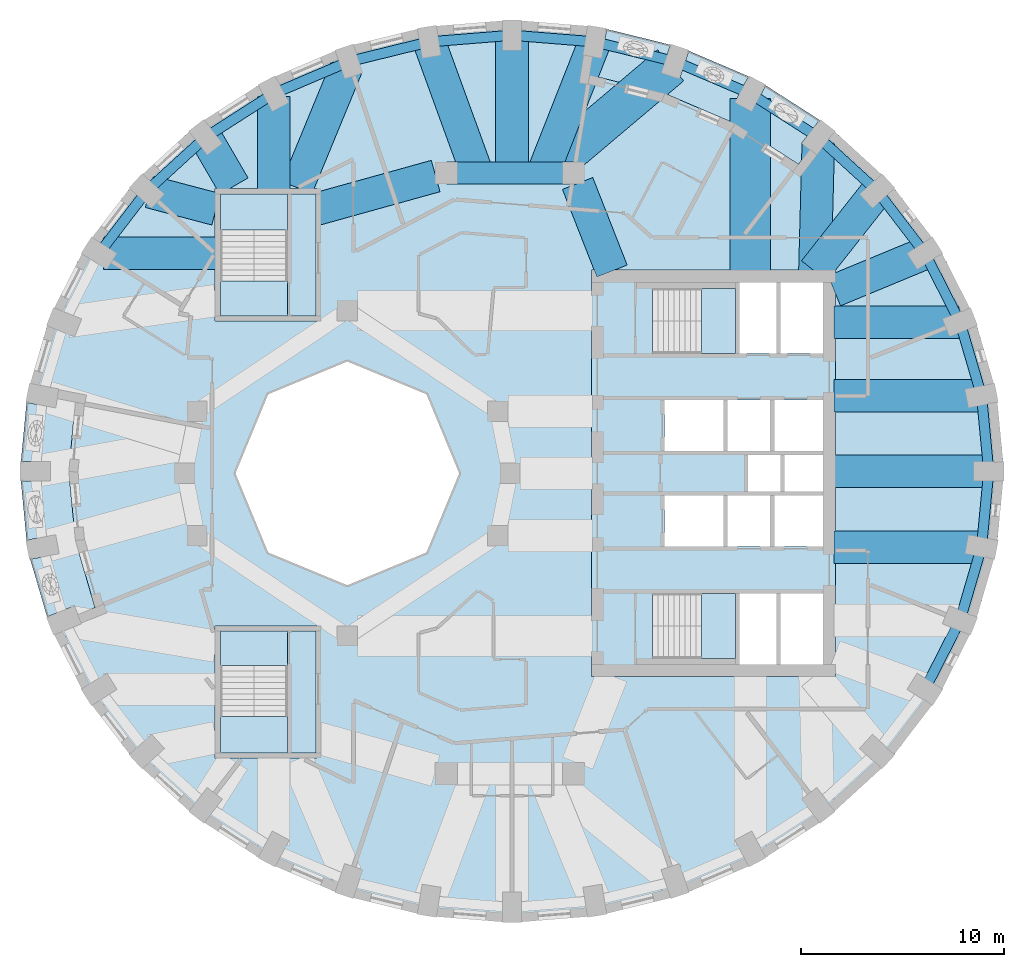
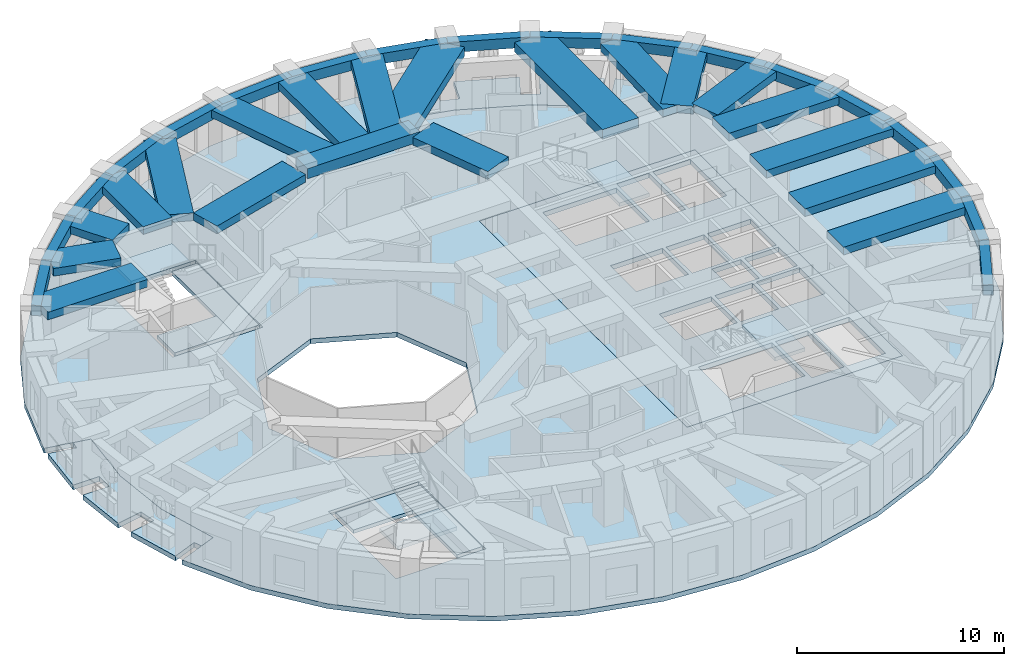
# One storey, part 2 of 12: 38 beams, 12 slabs, 4 elements without a shape of their own.
"""IFC4 building model written with IfcOpenShell, lengths in metres."""

from ifc_helpers import new_model, si_unit, direction, frame, origin, origin_2d, place, context, subcontext, project, spatial, polyline, rectangle, outline, extrude, material, layer, layer_set, material_profile, profile_set, type_object, element, aggregate, save


model = new_model("IFC4")

# Units and contexts
model_context = context("Model", 3, precision=1e-05, world=origin(), true_north=direction((0.0, 1.0)))
body_context = subcontext(model_context, "Body", "Model", "MODEL_VIEW")
ifc_project = project(units=[si_unit("LENGTHUNIT", "METRE"), si_unit("AREAUNIT", "SQUARE_METRE"), si_unit("VOLUMEUNIT", "CUBIC_METRE"), si_unit("PLANEANGLEUNIT", "RADIAN"), si_unit("MASSUNIT", "GRAM", prefix="KILO")], contexts=[model_context])

# Site, building, storey
site_placement = place(None, origin())
site = spatial("IfcSite", under=ifc_project, at=site_placement, CompositionType="ELEMENT")
building_placement = place(site_placement, origin())
building = spatial("IfcBuilding", under=site, at=building_placement, Name="Taillehof Tower", CompositionType="ELEMENT")
storey_placement = place(building_placement, frame((0.0, 0.0, 148.39990234375)))
storey = spatial("IfcBuildingStorey", under=building, at=storey_placement, Name="L41", CompositionType="ELEMENT", Elevation=148.39990234375)

# Beams
ifc_material_1 = material(Name="Concrete C50/60", Category="concrete")
ifc_material_profile_1 = material_profile(ifc_material_1, rectangle(XDim=1.10009765625, YDim=0.60009765625, at=origin_2d()), Name="RC 1100x600")
ifc_profile_set_1 = profile_set([ifc_material_profile_1], Name="Concrete C50/60")
beam_type_1 = type_object("IfcBeamType", Name="Mid-ring beam C50/60 1100x600", PredefinedType="BEAM", material=ifc_profile_set_1)
beam_1_placement = place(storey_placement, frame((3.125732421875, 14.772216796875, 2.72021484375), z_axis=(-1.0, 0.0, 0.0), x_axis=(0.0, -1.0, 0.0)))
element("IfcBeam", 1, at=beam_1_placement, inside=storey, type_object=beam_type_1, Name="Mid-ring beam MB01", PredefinedType="BEAM", context=body_context, shape_type="SweptSolid", body=[
    extrude(rectangle(XDim=1.10009765625, YDim=0.60009765625, at=origin_2d()), origin(), (0.0, 0.0, 1.0), 6.25146484375),
])
ifc_material_2 = material(Name="Concrete C50/60", Category="concrete")
ifc_material_profile_2 = material_profile(ifc_material_2, rectangle(XDim=1.60009765625, YDim=0.449951171875, at=origin_2d()), Name="RC 1600x450")
ifc_profile_set_2 = profile_set([ifc_material_profile_2], Name="Concrete C50/60")
beam_type_2 = type_object("IfcBeamType", Name="Radial band beam C50/60 1600x450", PredefinedType="BEAM", material=ifc_profile_set_2)
beam_2_placement = place(storey_placement, frame((23.550048828125, 0.10009765625, 2.795166015625), z_axis=(-1.0, 0.0, 0.0), x_axis=(0.0, -1.0, 0.0)))
element("IfcBeam", 2, at=beam_2_placement, inside=storey, type_object=beam_type_2, Name="Radial band beam RB01", PredefinedType="BEAM", context=body_context, shape_type="SweptSolid", body=[
    extrude(rectangle(XDim=1.60009765625, YDim=0.449951171875, at=origin_2d()), origin(), (0.0, 0.0, 1.0), 7.60009765625),
])
beam_3_placement = place(storey_placement, frame((23.19384765625, 3.82470703125, 2.795166015625), z_axis=(-1.0, 0.0, 0.0), x_axis=(0.0, -1.0, 0.0)))
element("IfcBeam", 3, at=beam_3_placement, inside=storey, type_object=beam_type_2, Name="Radial band beam RB02", PredefinedType="BEAM", context=body_context, shape_type="SweptSolid", body=[
    extrude(rectangle(XDim=1.60009765625, YDim=0.449951171875, at=origin_2d()), origin(), (0.0, 0.0, 1.0), 7.243896484375),
])
beam_4_placement = place(storey_placement, frame((22.08642578125, 7.436279296875, 2.795166015625), z_axis=(-1.0, 0.0, 0.0), x_axis=(0.0, -1.0, 0.0)))
element("IfcBeam", 4, at=beam_4_placement, inside=storey, type_object=beam_type_2, Name="Radial band beam RB03", PredefinedType="BEAM", context=body_context, shape_type="SweptSolid", body=[
    extrude(rectangle(XDim=1.60009765625, YDim=0.449951171875, at=origin_2d()), origin(), (0.0, 0.0, 1.0), 6.136474609375),
])
beam_5_placement = place(storey_placement, frame((20.408203125, 10.824951171875, 2.795166015625), z_axis=(-0.92395697655, -0.382496412381, 0.0), x_axis=(0.382496412381, -0.92395697655, 0.0)))
element("IfcBeam", 5, at=beam_5_placement, inside=storey, type_object=beam_type_2, Name="Radial band beam RB04", PredefinedType="BEAM", context=body_context, shape_type="SweptSolid", body=[
    extrude(rectangle(XDim=1.60009765625, YDim=0.449951171875, at=origin_2d()), origin(), (0.0, 0.0, 1.0), 4.821044921875),
])
beam_6_placement = place(storey_placement, frame((18.063720703125, 13.8876953125, 2.795166015625), z_axis=(-0.618961692467, -0.785421175713, 0.0), x_axis=(0.785421175713, -0.618961692467, 0.0)))
element("IfcBeam", 6, at=beam_6_placement, inside=storey, type_object=beam_type_2, Name="Radial band beam RB05", PredefinedType="BEAM", context=body_context, shape_type="SweptSolid", body=[
    extrude(rectangle(XDim=1.60009765625, YDim=0.449951171875, at=origin_2d()), origin(), (0.0, 0.0, 1.0), 4.999755859375),
])
beam_7_placement = place(storey_placement, frame((15.166259765625, 16.259765625, 2.795166015625), z_axis=(-0.026533506529, -0.999647924537, 0.0), x_axis=(0.999647924537, -0.026533506529, 0.0)))
element("IfcBeam", 7, at=beam_7_placement, inside=storey, type_object=beam_type_2, Name="Radial band beam RB06", PredefinedType="BEAM", context=body_context, shape_type="SweptSolid", body=[
    extrude(rectangle(XDim=1.60009765625, YDim=0.449951171875, at=origin_2d()), origin(), (0.0, 0.0, 1.0), 6.31201171875),
])
beam_8_placement = place(storey_placement, frame((4.172119140625, 21.22412109375, 2.795166015625), z_axis=(-0.36711444375, -0.930175781877, 0.0), x_axis=(0.930175781877, -0.36711444375, 0.0)))
element("IfcBeam", 8, at=beam_8_placement, inside=storey, type_object=beam_type_2, Name="Radial band beam RB09", PredefinedType="BEAM", context=body_context, shape_type="SweptSolid", body=[
    extrude(rectangle(XDim=1.60009765625, YDim=0.449951171875, at=origin_2d()), origin(), (0.0, 0.0, 1.0), 6.936279296875),
])
beam_9_placement = place(storey_placement, frame((0.10009765625, 21.550048828125, 2.795166015625), z_axis=(0.0, -1.0, 0.0), x_axis=(1.0, 0.0, 0.0)))
element("IfcBeam", 9, at=beam_9_placement, inside=storey, type_object=beam_type_2, Name="Radial band beam RB10", PredefinedType="BEAM", context=body_context, shape_type="SweptSolid", body=[
    extrude(rectangle(XDim=1.60009765625, YDim=0.449951171875, at=origin_2d()), origin(), (0.0, 0.0, 1.0), 6.77783203125),
])
beam_10_placement = place(storey_placement, frame((-3.97216796875, 21.22412109375, 2.795166015625), z_axis=(0.341780181607, -0.939779925015, 0.0), x_axis=(0.939779925015, 0.341780181607, 0.0)))
element("IfcBeam", 10, at=beam_10_placement, inside=storey, type_object=beam_type_2, Name="Radial band beam RB11", PredefinedType="BEAM", context=body_context, shape_type="SweptSolid", body=[
    extrude(rectangle(XDim=1.60009765625, YDim=0.449951171875, at=origin_2d()), origin(), (0.0, 0.0, 1.0), 6.865234375),
])
beam_11_placement = place(storey_placement, frame((-8.04443359375, 19.95556640625, 2.795166015625), z_axis=(-0.381176869418, -0.924502133162, 0.0), x_axis=(0.924502133162, -0.381176869418, 0.0)))
element("IfcBeam", 11, at=beam_11_placement, inside=storey, type_object=beam_type_2, Name="Radial band beam RB12", PredefinedType="BEAM", context=body_context, shape_type="SweptSolid", body=[
    extrude(rectangle(XDim=1.60009765625, YDim=0.449951171875, at=origin_2d()), origin(), (0.0, 0.0, 1.0), 6.382568359375),
])
beam_12_placement = place(storey_placement, frame((-11.625, 18.536376953125, 2.795166015625), z_axis=(0.0, -1.0, 0.0), x_axis=(1.0, 0.0, 0.0)))
element("IfcBeam", 12, at=beam_12_placement, inside=storey, type_object=beam_type_2, Name="Radial band beam RB13", PredefinedType="BEAM", context=body_context, shape_type="SweptSolid", body=[
    extrude(rectangle(XDim=1.60009765625, YDim=0.449951171875, at=origin_2d()), origin(), (0.0, 0.0, 1.0), 4.58642578125),
])
beam_13_placement = place(storey_placement, frame((-14.973388671875, 16.53173828125, 2.795166015625), z_axis=(0.502991419937, -0.864291404255, 0.0), x_axis=(0.864291404255, 0.502991419937, 0.0)))
element("IfcBeam", 13, at=beam_13_placement, inside=storey, type_object=beam_type_2, Name="Radial band beam RB14", PredefinedType="BEAM", context=body_context, shape_type="SweptSolid", body=[
    extrude(rectangle(XDim=1.60009765625, YDim=0.449951171875, at=origin_2d()), origin(), (0.0, 0.0, 1.0), 2.779296875),
])
beam_14_placement = place(storey_placement, frame((-17.72998046875, 13.8525390625, 2.795166015625), z_axis=(0.966882543987, -0.255221758736, 0.0), x_axis=(0.255221758736, 0.966882543987, 0.0)))
element("IfcBeam", 14, at=beam_14_placement, inside=storey, type_object=beam_type_2, Name="Radial band beam RB15", PredefinedType="BEAM", context=body_context, shape_type="SweptSolid", body=[
    extrude(rectangle(XDim=1.60009765625, YDim=0.449951171875, at=origin_2d()), origin(), (0.0, 0.0, 1.0), 3.381591796875),
])
beam_15_placement = place(storey_placement, frame((-19.9990234375, 10.824951171875, 2.795166015625), z_axis=(1.0, 0.0, 0.0), x_axis=(0.0, 1.0, 0.0)))
element("IfcBeam", 15, at=beam_15_placement, inside=storey, type_object=beam_type_2, Name="Radial band beam RB16", PredefinedType="BEAM", context=body_context, shape_type="SweptSolid", body=[
    extrude(rectangle(XDim=1.60009765625, YDim=0.449951171875, at=origin_2d()), origin(), (0.0, 0.0, 1.0), 5.549072265625),
])
beam_16_placement = place(storey_placement, frame((23.19384765625, -3.624755859375, 2.795166015625), z_axis=(-1.0, 0.0, 0.0), x_axis=(0.0, -1.0, 0.0)))
element("IfcBeam", 16, at=beam_16_placement, inside=storey, type_object=beam_type_2, Name="Radial band beam RB36", PredefinedType="BEAM", context=body_context, shape_type="SweptSolid", body=[
    extrude(rectangle(XDim=1.60009765625, YDim=0.449951171875, at=origin_2d()), origin(), (0.0, 0.0, 1.0), 7.243896484375),
])
beam_17_placement = place(storey_placement, frame((3.32666015625, 14.26025390625, 2.795166015625), z_axis=(0.365588707223, -0.930776502255, 0.0), x_axis=(0.930776502255, 0.365588707223, 0.0)))
element("IfcBeam", 17, at=beam_17_placement, inside=storey, type_object=beam_type_2, Name="Inner band beam IB205", PredefinedType="BEAM", context=body_context, shape_type="SweptSolid", body=[
    extrude(rectangle(XDim=1.60009765625, YDim=0.449951171875, at=origin_2d()), origin(), (0.0, 0.0, 1.0), 4.627197265625),
])
beam_18_placement = place(storey_placement, frame((-3.655517578125, 14.624755859375, 2.795166015625), z_axis=(-0.963459369536, -0.267854518821, 0.0), x_axis=(0.267854518821, -0.963459369536, 0.0)))
element("IfcBeam", 18, at=beam_18_placement, inside=storey, type_object=beam_type_2, Name="Inner band beam IB206", PredefinedType="BEAM", context=body_context, shape_type="SweptSolid", body=[
    extrude(rectangle(XDim=1.60009765625, YDim=0.449951171875, at=origin_2d()), origin(), (0.0, 0.0, 1.0), 6.096923828125),
])
ifc_material_3 = material(Name="Concrete C50/60", Category="concrete")
ifc_material_profile_3 = material_profile(ifc_material_3, rectangle(XDim=2.0, YDim=0.550048828125, at=origin_2d()), Name="RC 2000x550")
ifc_profile_set_3 = profile_set([ifc_material_profile_3], Name="Concrete C50/60")
beam_type_3 = type_object("IfcBeamType", Name="Radial band beam C50/60 2000x550", PredefinedType="BEAM", material=ifc_profile_set_3)
beam_19_placement = place(storey_placement, frame((11.824951171875, 18.430908203125, 2.7451171875), z_axis=(0.0, -1.0, 0.0), x_axis=(1.0, 0.0, 0.0)))
element("IfcBeam", 19, at=beam_19_placement, inside=storey, type_object=beam_type_3, Name="Radial band beam RB07", PredefinedType="BEAM", context=body_context, shape_type="SweptSolid", body=[
    extrude(rectangle(XDim=2.0, YDim=0.550048828125, at=origin_2d()), origin(), (0.0, 0.0, 1.0), 8.48095703125),
])
beam_20_placement = place(storey_placement, frame((7.900390625, 20.070556640625, 2.7451171875), z_axis=(-0.764038060196, -0.645171173079, 0.0), x_axis=(0.645171173079, -0.764038060196, 0.0)))
element("IfcBeam", 20, at=beam_20_placement, inside=storey, type_object=beam_type_3, Name="Radial band beam RB08", PredefinedType="BEAM", context=body_context, shape_type="SweptSolid", body=[
    extrude(rectangle(XDim=2.0, YDim=0.550048828125, at=origin_2d()), origin(), (0.0, 0.0, 1.0), 7.880859375),
])
ifc_material_4 = material(Name="Concrete C50/60", Category="concrete")
ifc_material_profile_4 = material_profile(ifc_material_4, rectangle(XDim=0.5, YDim=0.60009765625, at=origin_2d()), Name="RC 500x600")
ifc_profile_set_4 = profile_set([ifc_material_profile_4], Name="Concrete C50/60")
beam_type_4 = type_object("IfcBeamType", Name="Spandrel beam C50/60 500x600", PredefinedType="SPANDREL", material=ifc_profile_set_4)
beam_21_placement = place(storey_placement, frame((23.550048828125, 0.10009765625, 2.72021484375), z_axis=(-0.095200147056, 0.995458151808, 0.0), x_axis=(-0.995458151808, -0.095200147056, 0.0)))
element("IfcBeam", 21, at=beam_21_placement, inside=storey, type_object=beam_type_4, Name="Spandrel beam SB01", PredefinedType="SPANDREL", context=body_context, shape_type="SweptSolid", body=[
    extrude(rectangle(XDim=0.5, YDim=0.60009765625, at=origin_2d()), origin(), (0.0, 0.0, 1.0), 3.74169921875),
])
beam_22_placement = place(storey_placement, frame((23.19384765625, 3.82470703125, 2.72021484375), z_axis=(-0.281158162606, 0.959661444261, 0.0), x_axis=(-0.959661444261, -0.281158162606, 0.0)))
element("IfcBeam", 22, at=beam_22_placement, inside=storey, type_object=beam_type_4, Name="Spandrel beam SB02", PredefinedType="SPANDREL", context=body_context, shape_type="SweptSolid", body=[
    extrude(rectangle(XDim=0.5, YDim=0.60009765625, at=origin_2d()), origin(), (0.0, 0.0, 1.0), 3.763427734375),
])
beam_23_placement = place(storey_placement, frame((22.1357421875, 7.436279296875, 2.72021484375), z_axis=(-0.454183451696, 0.890908183937, 0.0), x_axis=(-0.890908183937, -0.454183451696, 0.0)))
element("IfcBeam", 23, at=beam_23_placement, inside=storey, type_object=beam_type_4, Name="Spandrel beam SB03", PredefinedType="SPANDREL", context=body_context, shape_type="SweptSolid", body=[
    extrude(rectangle(XDim=0.5, YDim=0.60009765625, at=origin_2d()), origin(), (0.0, 0.0, 1.0), 3.8037109375),
])
beam_24_placement = place(storey_placement, frame((20.408203125, 10.824951171875, 2.72021484375), z_axis=(-0.60784004271, 0.794059495553, 0.0), x_axis=(-0.794059495553, -0.60784004271, 0.0)))
element("IfcBeam", 24, at=beam_24_placement, inside=storey, type_object=beam_type_4, Name="Spandrel beam SB04", PredefinedType="SPANDREL", context=body_context, shape_type="SweptSolid", body=[
    extrude(rectangle(XDim=0.5, YDim=0.60009765625, at=origin_2d()), origin(), (0.0, 0.0, 1.0), 3.857177734375),
])
beam_25_placement = place(storey_placement, frame((18.063720703125, 13.8876953125, 2.72021484375), z_axis=(-0.737849657471, 0.674965097594, 0.0), x_axis=(-0.674965097594, -0.737849657471, 0.0)))
element("IfcBeam", 25, at=beam_25_placement, inside=storey, type_object=beam_type_4, Name="Spandrel beam SB05", PredefinedType="SPANDREL", context=body_context, shape_type="SweptSolid", body=[
    extrude(rectangle(XDim=0.5, YDim=0.60009765625, at=origin_2d()), origin(), (0.0, 0.0, 1.0), 3.917236328125),
])
beam_26_placement = place(storey_placement, frame((15.17333984375, 16.53173828125, 2.72021484375), z_axis=(-0.842092940799, 0.53933243835, 0.0), x_axis=(-0.53933243835, -0.842092940799, 0.0)))
element("IfcBeam", 26, at=beam_26_placement, inside=storey, type_object=beam_type_4, Name="Spandrel beam SB06", PredefinedType="SPANDREL", context=body_context, shape_type="SweptSolid", body=[
    extrude(rectangle(XDim=0.5, YDim=0.60009765625, at=origin_2d()), origin(), (0.0, 0.0, 1.0), 3.976318359375),
])
beam_27_placement = place(storey_placement, frame((11.824951171875, 18.67626953125, 2.72021484375), z_axis=(-0.919827173659, 0.392323808351, 0.0), x_axis=(-0.392323808351, -0.919827173659, 0.0)))
element("IfcBeam", 27, at=beam_27_placement, inside=storey, type_object=beam_type_4, Name="Spandrel beam SB07", PredefinedType="SPANDREL", context=body_context, shape_type="SweptSolid", body=[
    extrude(rectangle(XDim=0.5, YDim=0.60009765625, at=origin_2d()), origin(), (0.0, 0.0, 1.0), 4.027587890625),
])
beam_28_placement = place(storey_placement, frame((8.120361328125, 20.25634765625, 2.72021484375), z_axis=(-0.971248584585, 0.238067610023, 0.0), x_axis=(-0.238067610023, -0.971248584585, 0.0)))
element("IfcBeam", 28, at=beam_28_placement, inside=storey, type_object=beam_type_4, Name="Spandrel beam SB08", PredefinedType="SPANDREL", context=body_context, shape_type="SweptSolid", body=[
    extrude(rectangle(XDim=0.5, YDim=0.60009765625, at=origin_2d()), origin(), (0.0, 0.0, 1.0), 4.065185546875),
])
beam_29_placement = place(storey_placement, frame((4.172119140625, 21.22412109375, 2.72021484375), z_axis=(-0.996812047205, 0.079785603634, 0.0), x_axis=(-0.079785603634, -0.996812047205, 0.0)))
element("IfcBeam", 29, at=beam_29_placement, inside=storey, type_object=beam_type_4, Name="Spandrel beam SB09", PredefinedType="SPANDREL", context=body_context, shape_type="SweptSolid", body=[
    extrude(rectangle(XDim=0.5, YDim=0.60009765625, at=origin_2d()), origin(), (0.0, 0.0, 1.0), 4.0849609375),
])
beam_30_placement = place(storey_placement, frame((0.10009765625, 21.550048828125, 2.72021484375), z_axis=(-0.996812427616, -0.079780850771, 0.0), x_axis=(0.079780850771, -0.996812427616, 0.0)))
element("IfcBeam", 30, at=beam_30_placement, inside=storey, type_object=beam_type_4, Name="Spandrel beam SB10", PredefinedType="SPANDREL", context=body_context, shape_type="SweptSolid", body=[
    extrude(rectangle(XDim=0.5, YDim=0.60009765625, at=origin_2d()), origin(), (0.0, 0.0, 1.0), 4.085205078125),
])
beam_31_placement = place(storey_placement, frame((-3.97216796875, 21.22412109375, 2.72021484375), z_axis=(-0.971248584585, -0.238067610023, 0.0), x_axis=(0.238067610023, -0.971248584585, 0.0)))
element("IfcBeam", 31, at=beam_31_placement, inside=storey, type_object=beam_type_4, Name="Spandrel beam SB11", PredefinedType="SPANDREL", context=body_context, shape_type="SweptSolid", body=[
    extrude(rectangle(XDim=0.5, YDim=0.60009765625, at=origin_2d()), origin(), (0.0, 0.0, 1.0), 4.065185546875),
])
beam_32_placement = place(storey_placement, frame((-7.92041015625, 20.25634765625, 2.72021484375), z_axis=(-0.919827173659, -0.392323808351, 0.0), x_axis=(0.392323808351, -0.919827173659, 0.0)))
element("IfcBeam", 32, at=beam_32_placement, inside=storey, type_object=beam_type_4, Name="Spandrel beam SB12", PredefinedType="SPANDREL", context=body_context, shape_type="SweptSolid", body=[
    extrude(rectangle(XDim=0.5, YDim=0.60009765625, at=origin_2d()), origin(), (0.0, 0.0, 1.0), 4.027587890625),
])
beam_33_placement = place(storey_placement, frame((-11.625, 18.67626953125, 2.72021484375), z_axis=(-0.842092940799, -0.53933243835, 0.0), x_axis=(0.53933243835, -0.842092940799, 0.0)))
element("IfcBeam", 33, at=beam_33_placement, inside=storey, type_object=beam_type_4, Name="Spandrel beam SB13", PredefinedType="SPANDREL", context=body_context, shape_type="SweptSolid", body=[
    extrude(rectangle(XDim=0.5, YDim=0.60009765625, at=origin_2d()), origin(), (0.0, 0.0, 1.0), 3.976318359375),
])
beam_34_placement = place(storey_placement, frame((-14.973388671875, 16.53173828125, 2.72021484375), z_axis=(-0.737849657471, -0.674965097594, 0.0), x_axis=(0.674965097594, -0.737849657471, 0.0)))
element("IfcBeam", 34, at=beam_34_placement, inside=storey, type_object=beam_type_4, Name="Spandrel beam SB14", PredefinedType="SPANDREL", context=body_context, shape_type="SweptSolid", body=[
    extrude(rectangle(XDim=0.5, YDim=0.60009765625, at=origin_2d()), origin(), (0.0, 0.0, 1.0), 3.917236328125),
])
beam_35_placement = place(storey_placement, frame((-17.86376953125, 13.8876953125, 2.72021484375), z_axis=(-0.60784004271, -0.794059495553, 0.0), x_axis=(0.794059495553, -0.60784004271, 0.0)))
element("IfcBeam", 35, at=beam_35_placement, inside=storey, type_object=beam_type_4, Name="Spandrel beam SB15", PredefinedType="SPANDREL", context=body_context, shape_type="SweptSolid", body=[
    extrude(rectangle(XDim=0.5, YDim=0.60009765625, at=origin_2d()), origin(), (0.0, 0.0, 1.0), 3.857177734375),
])
beam_36_placement = place(storey_placement, frame((20.408203125, -10.625, 2.72021484375), z_axis=(0.454183451696, 0.890908183937, 0.0), x_axis=(-0.890908183937, 0.454183451696, 0.0)))
element("IfcBeam", 36, at=beam_36_placement, inside=storey, type_object=beam_type_4, Name="Spandrel beam SB34", PredefinedType="SPANDREL", context=body_context, shape_type="SweptSolid", body=[
    extrude(rectangle(XDim=0.5, YDim=0.60009765625, at=origin_2d()), origin(), (0.0, 0.0, 1.0), 3.8037109375),
])
beam_37_placement = place(storey_placement, frame((22.1357421875, -7.236328125, 2.72021484375), z_axis=(0.281158162606, 0.959661444261, 0.0), x_axis=(-0.959661444261, 0.281158162606, 0.0)))
element("IfcBeam", 37, at=beam_37_placement, inside=storey, type_object=beam_type_4, Name="Spandrel beam SB35", PredefinedType="SPANDREL", context=body_context, shape_type="SweptSolid", body=[
    extrude(rectangle(XDim=0.5, YDim=0.60009765625, at=origin_2d()), origin(), (0.0, 0.0, 1.0), 3.763427734375),
])
beam_38_placement = place(storey_placement, frame((23.19384765625, -3.624755859375, 2.72021484375), z_axis=(0.095193963834, 0.995458743118, 0.0), x_axis=(-0.995458743118, 0.095193963834, 0.0)))
element("IfcBeam", 38, at=beam_38_placement, inside=storey, type_object=beam_type_4, Name="Spandrel beam SB36", PredefinedType="SPANDREL", context=body_context, shape_type="SweptSolid", body=[
    extrude(rectangle(XDim=0.5, YDim=0.60009765625, at=origin_2d()), origin(), (0.0, 0.0, 1.0), 3.741943359375),
])

# Slabs
ifc_material_5 = material(Name="Concrete C40/50", Category="concrete")
ifc_layer_1 = layer(ifc_material_5, 0.280029296875)
ifc_layer_set_1 = layer_set([ifc_layer_1], Name="Balcony slab 280")
slab_type_1 = type_object("IfcSlabType", Name="Balcony slab 280", PredefinedType="USERDEFINED", material=ifc_layer_set_1)
slab_1_placement = place(storey_placement, frame((0.0, 0.0, -0.27978515625)))
element("IfcSlab", 39, at=slab_1_placement, inside=storey, type_object=slab_type_1, Name="Balcony L41 pocket 5", ObjectType="BALCONY", PredefinedType="USERDEFINED", context=body_context, shape_type="SweptSolid", body=[
    extrude(outline(polyline([(-20.40966796875, -6.607666015625), (-21.24658203125, -6.939697265625), (-21.413818359375, -6.518310546875), (-22.768310546875, -7.0556640625), (-23.59521484375, -4.22412109375), (-22.16748046875, -3.94970703125), (-22.346923828125, -3.016845703125), (-23.776611328125, -3.29150390625), (-24.0546875, -0.375), (-22.60009765625, -0.375), (-22.60009765625, 0.574951171875), (-24.0546875, 0.574951171875), (-23.776611328125, 3.491455078125), (-22.346923828125, 3.216796875), (-22.25927734375, 3.671875), (-21.37548828125, 3.501953125), (-21.699951171875, 0.10009765625), (-21.37548828125, -3.302001953125), (-20.40966796875, -6.607666015625)])), origin(), (0.0, 0.0, 1.0), 0.27978515625),
])
slab_2_placement = place(storey_placement, frame((0.0, 0.0, -0.27978515625)))
element("IfcSlab", 40, at=slab_2_placement, inside=storey, type_object=slab_type_1, Name="Balcony L41 pocket 1", ObjectType="BALCONY", PredefinedType="USERDEFINED", context=body_context, shape_type="SweptSolid", body=[
    extrude(outline(polyline([(3.9189453125, 19.593505859375), (4.062744140625, 20.48193359375), (4.521240234375, 20.407958984375), (4.754638671875, 21.8515625), (7.89453125, 21.079833984375), (7.432373046875, 19.695556640625), (8.33349609375, 19.39453125), (8.796630859375, 20.78173828125), (11.736572265625, 19.52392578125), (11.05419921875, 18.23583984375), (11.893798828125, 17.791259765625), (12.577880859375, 19.0830078125), (15.227783203125, 17.380859375), (14.339599609375, 16.22705078125), (14.740966796875, 15.91796875), (14.191650390625, 15.204345703125), (11.07666015625, 17.204833984375), (7.61669921875, 18.684814453125), (3.9189453125, 19.593505859375)])), origin(), (0.0, 0.0, 1.0), 0.27978515625),
])
ifc_material_6 = material(Name="Concrete C40/50", Category="concrete")
ifc_layer_2 = layer(ifc_material_6, 0.280029296875)
ifc_layer_set_2 = layer_set([ifc_layer_2], Name="Core floor slab C40/50 280")
slab_type_2 = type_object("IfcSlabType", Name="Core floor slab C40/50 280", PredefinedType="FLOOR", material=ifc_layer_set_2)
slab_3_placement = place(storey_placement, frame((0.0, 0.0, -0.27978515625)))
element("IfcSlab", 41, at=slab_3_placement, inside=storey, type_object=slab_type_2, Name="Core floor L41", PredefinedType="FLOOR", context=body_context, shape_type="SweptSolid", body=[
    extrude(outline(polyline([(4.0, -10.0), (4.0, 10.0), (16.0, 10.0), (16.0, -10.0), (4.0, -10.0)]), holes=[polyline([(11.10009765625, -9.10009765625), (11.10009765625, -5.89990234375), (7.00048828125, -5.89990234375), (7.00048828125, -9.10009765625), (11.10009765625, -9.10009765625)]), polyline([(10.5, -3.60009765625), (10.5, -1.10009765625), (7.60009765625, -1.10009765625), (7.60009765625, -3.60009765625), (10.5, -3.60009765625)]), polyline([(12.800048828125, -3.60009765625), (12.800048828125, -1.10009765625), (10.699951171875, -1.10009765625), (10.699951171875, -3.60009765625), (12.800048828125, -3.60009765625)]), polyline([(10.5, 1.10009765625), (10.5, 3.60009765625), (7.60009765625, 3.60009765625), (7.60009765625, 1.10009765625), (10.5, 1.10009765625)]), polyline([(12.800048828125, 1.10009765625), (12.800048828125, 3.60009765625), (10.699951171875, 3.60009765625), (10.699951171875, 1.10009765625), (12.800048828125, 1.10009765625)]), polyline([(11.10009765625, 5.89990234375), (11.10009765625, 9.10009765625), (7.00048828125, 9.10009765625), (7.00048828125, 5.89990234375), (11.10009765625, 5.89990234375)]), polyline([(13.10009765625, 5.89990234375), (13.10009765625, 9.39990234375), (11.300048828125, 9.39990234375), (11.300048828125, 5.89990234375), (13.10009765625, 5.89990234375)]), polyline([(13.10009765625, -5.89990234375), (11.300048828125, -5.89990234375), (11.300048828125, -9.39990234375), (13.10009765625, -9.39990234375), (13.10009765625, -5.89990234375)]), polyline([(15.39990234375, -9.39990234375), (15.39990234375, -5.89990234375), (13.300048828125, -5.89990234375), (13.300048828125, -9.39990234375), (15.39990234375, -9.39990234375)]), polyline([(15.39990234375, -3.60009765625), (15.39990234375, -1.10009765625), (13.0, -1.10009765625), (13.0, -3.60009765625), (15.39990234375, -3.60009765625)]), polyline([(13.300048828125, -0.89990234375), (13.300048828125, 0.89990234375), (11.699951171875, 0.89990234375), (11.699951171875, -0.89990234375), (13.300048828125, -0.89990234375)]), polyline([(15.39990234375, -0.89990234375), (15.39990234375, 0.89990234375), (13.5, 0.89990234375), (13.5, -0.89990234375), (15.39990234375, -0.89990234375)]), polyline([(15.39990234375, 1.10009765625), (15.39990234375, 3.60009765625), (13.0, 3.60009765625), (13.0, 1.10009765625), (15.39990234375, 1.10009765625)]), polyline([(15.39990234375, 5.89990234375), (15.39990234375, 9.39990234375), (13.300048828125, 9.39990234375), (13.300048828125, 5.89990234375), (15.39990234375, 5.89990234375)])]), origin(), (0.0, 0.0, 1.0), 0.27978515625),
])
ifc_material_7 = material(Name="Concrete C40/50", Category="concrete")
ifc_layer_3 = layer(ifc_material_7, 0.280029296875)
ifc_layer_set_3 = layer_set([ifc_layer_3], Name="Floor slab 280")
slab_type_3 = type_object("IfcSlabType", Name="Floor slab 280", PredefinedType="FLOOR", material=ifc_layer_set_3)
slab_4_placement = place(storey_placement, frame((0.0, 0.0, -0.27978515625)))
element("IfcSlab", 42, at=slab_4_placement, inside=storey, type_object=slab_type_3, Name="Floor slab L41", PredefinedType="FLOOR", context=body_context, shape_type="SweptSolid", body=[
    extrude(outline(polyline([(24.300048828125, 0.10009765625), (23.932373046875, 3.955078125), (22.840576171875, 7.69287109375), (21.057861328125, 11.199951171875), (18.63818359375, 14.369873046875), (15.655517578125, 17.106201171875), (14.19140625, 15.204345703125), (11.07666015625, 17.204833984375), (7.61669921875, 18.684814453125), (3.919189453125, 19.593505859375), (4.30224609375, 21.962646484375), (0.10009765625, 22.300048828125), (-4.102294921875, 21.962646484375), (-8.177001953125, 20.961181640625), (-12.0, 19.32568359375), (-15.45556640625, 17.106201171875), (-18.438232421875, 14.369873046875), (-20.85791015625, 11.199951171875), (-22.640625, 7.69287109375), (-23.732421875, 3.955078125), (-21.37548828125, 3.501953125), (-21.699951171875, 0.10009765625), (-21.37548828125, -3.302001953125), (-20.40966796875, -6.607666015625), (-22.640625, -7.492919921875), (-20.85791015625, -11.0), (-18.438232421875, -14.169921875), (-15.45556640625, -16.90625), (-12.0, -19.125732421875), (-8.177001953125, -20.76123046875), (-4.102294921875, -21.7626953125), (0.10009765625, -22.10009765625), (4.30224609375, -21.7626953125), (8.376953125, -20.76123046875), (12.199951171875, -19.125732421875), (15.655517578125, -16.90625), (18.63818359375, -14.169921875), (21.057861328125, -11.0), (22.840576171875, -7.492919921875), (23.932373046875, -3.7548828125), (24.300048828125, 0.10009765625)]), holes=[polyline([(-14.5, -7.5), (-9.5, -7.5), (-9.5, -14.0), (-14.5, -14.0), (-14.5, -7.5)]), polyline([(-8.0, -5.5), (-11.88916015625, -3.88916015625), (-13.5, 0.0), (-11.88916015625, 3.88916015625), (-8.0, 5.5), (-4.11083984375, 3.88916015625), (-2.5, 0.0), (-4.11083984375, -3.88916015625), (-8.0, -5.5)]), polyline([(16.0, 10.0), (16.0, -10.0), (4.0, -10.0), (4.0, 10.0), (16.0, 10.0)]), polyline([(-14.5, 14.0), (-9.5, 14.0), (-9.5, 7.5), (-14.5, 7.5), (-14.5, 14.0)])]), origin(), (0.0, 0.0, 1.0), 0.27978515625),
])

# Stair, slab
ifc_material_8 = material(Name="Concrete C40/50", Category="concrete")
stair_type = type_object("IfcStairType", Name="Exit stair half-turn", PredefinedType="HALF_TURN_STAIR", material=ifc_material_8)
stair_1_placement = place(storey_placement, origin())
stair_1 = element("IfcStair", 43, at=stair_1_placement, inside=storey, type_object=stair_type, Name="Exit stair S1", PredefinedType="HALF_TURN_STAIR")
ifc_material_9 = material(Name="Concrete C40/50", Category="concrete")
ifc_layer_4 = layer(ifc_material_9, 0.2099609375)
ifc_layer_set_4 = layer_set([ifc_layer_4], Name="Stair landing C40/50 210")
slab_type_4 = type_object("IfcSlabType", Name="Stair landing C40/50 210", PredefinedType="LANDING", material=ifc_layer_set_4)
slab_5_placement = place(storey_placement, frame((0.0, 0.0, 1.440185546875)))
slab_5 = element("IfcSlab", 44, at=slab_5_placement, type_object=slab_type_4, Name="S1 landing 1", PredefinedType="LANDING", context=body_context, shape_type="SweptSolid", body=[
    extrude(outline(polyline([(9.429931640625, 5.89990234375), (11.10009765625, 5.89990234375), (11.10009765625, 9.10009765625), (9.429931640625, 9.10009765625), (9.429931640625, 5.89990234375)])), origin(), (0.0, 0.0, 1.0), 0.2099609375),
])
aggregate(stair_1, [slab_5])

stair_2_placement = place(storey_placement, origin())
stair_2 = element("IfcStair", 45, at=stair_2_placement, inside=storey, type_object=stair_type, Name="Exit stair S2", PredefinedType="HALF_TURN_STAIR")
slab_6_placement = place(storey_placement, frame((0.0, 0.0, 1.440185546875)))
slab_6 = element("IfcSlab", 46, at=slab_6_placement, type_object=slab_type_4, Name="S2 landing 1", PredefinedType="LANDING", context=body_context, shape_type="SweptSolid", body=[
    extrude(outline(polyline([(9.429931640625, -5.89990234375), (11.10009765625, -5.89990234375), (11.10009765625, -9.10009765625), (9.429931640625, -9.10009765625), (9.429931640625, -5.89990234375)])), origin(), (0.0, 0.0, 1.0), 0.2099609375),
])
aggregate(stair_2, [slab_6])

stair_3_placement = place(storey_placement, origin())
stair_3 = element("IfcStair", 47, at=stair_3_placement, inside=storey, type_object=stair_type, Name="Exit stair S3", PredefinedType="HALF_TURN_STAIR")
slab_7_placement = place(storey_placement, frame((0.0, 0.0, 1.440185546875)))
slab_7 = element("IfcSlab", 48, at=slab_7_placement, type_object=slab_type_4, Name="S3 landing 1", PredefinedType="LANDING", context=body_context, shape_type="SweptSolid", body=[
    extrude(outline(polyline([(-14.25, 11.969970703125), (-14.25, 13.75), (-10.949951171875, 13.75), (-10.949951171875, 11.969970703125), (-14.25, 11.969970703125)])), origin(), (0.0, 0.0, 1.0), 0.2099609375),
])
aggregate(stair_3, [slab_7])

stair_4_placement = place(storey_placement, origin())
stair_4 = element("IfcStair", 49, at=stair_4_placement, inside=storey, type_object=stair_type, Name="Exit stair S4", PredefinedType="HALF_TURN_STAIR")
slab_8_placement = place(storey_placement, frame((0.0, 0.0, 1.440185546875)))
slab_8 = element("IfcSlab", 50, at=slab_8_placement, type_object=slab_type_4, Name="S4 landing 1", PredefinedType="LANDING", context=body_context, shape_type="SweptSolid", body=[
    extrude(outline(polyline([(-14.25, -11.969970703125), (-14.25, -13.75), (-10.949951171875, -13.75), (-10.949951171875, -11.969970703125), (-14.25, -11.969970703125)])), origin(), (0.0, 0.0, 1.0), 0.2099609375),
])
aggregate(stair_4, [slab_8])

# Slabs
slab_9_placement = place(storey_placement, frame((0.0, 0.0, -0.2099609375)))
element("IfcSlab", 51, at=slab_9_placement, inside=storey, type_object=slab_type_4, Name="Stair S3 floor landing", PredefinedType="LANDING", context=body_context, shape_type="SweptSolid", body=[
    extrude(outline(polyline([(-14.25, 7.75), (-14.25, 9.449951171875), (-10.949951171875, 9.449951171875), (-10.949951171875, 7.75), (-14.25, 7.75)])), origin(), (0.0, 0.0, 1.0), 0.2099609375),
])
slab_10_placement = place(storey_placement, frame((0.0, 0.0, -0.2099609375)))
element("IfcSlab", 52, at=slab_10_placement, inside=storey, type_object=slab_type_4, Name="Stair lobby S3 floor", PredefinedType="LANDING", context=body_context, shape_type="SweptSolid", body=[
    extrude(outline(polyline([(-10.949951171875, 7.75), (-9.550048828125, 7.75), (-9.550048828125, 13.75), (-10.949951171875, 13.75), (-10.949951171875, 7.75)])), origin(), (0.0, 0.0, 1.0), 0.2099609375),
])
slab_11_placement = place(storey_placement, frame((0.0, 0.0, -0.2099609375)))
element("IfcSlab", 53, at=slab_11_placement, inside=storey, type_object=slab_type_4, Name="Stair S4 floor landing", PredefinedType="LANDING", context=body_context, shape_type="SweptSolid", body=[
    extrude(outline(polyline([(-14.25, -7.75), (-14.25, -9.449951171875), (-10.949951171875, -9.449951171875), (-10.949951171875, -7.75), (-14.25, -7.75)])), origin(), (0.0, 0.0, 1.0), 0.2099609375),
])
slab_12_placement = place(storey_placement, frame((0.0, 0.0, -0.2099609375)))
element("IfcSlab", 54, at=slab_12_placement, inside=storey, type_object=slab_type_4, Name="Stair lobby S4 floor", PredefinedType="LANDING", context=body_context, shape_type="SweptSolid", body=[
    extrude(outline(polyline([(-10.949951171875, -13.75), (-9.550048828125, -13.75), (-9.550048828125, -7.75), (-10.949951171875, -7.75), (-10.949951171875, -13.75)])), origin(), (0.0, 0.0, 1.0), 0.2099609375),
])

save(model, "model.ifc")
